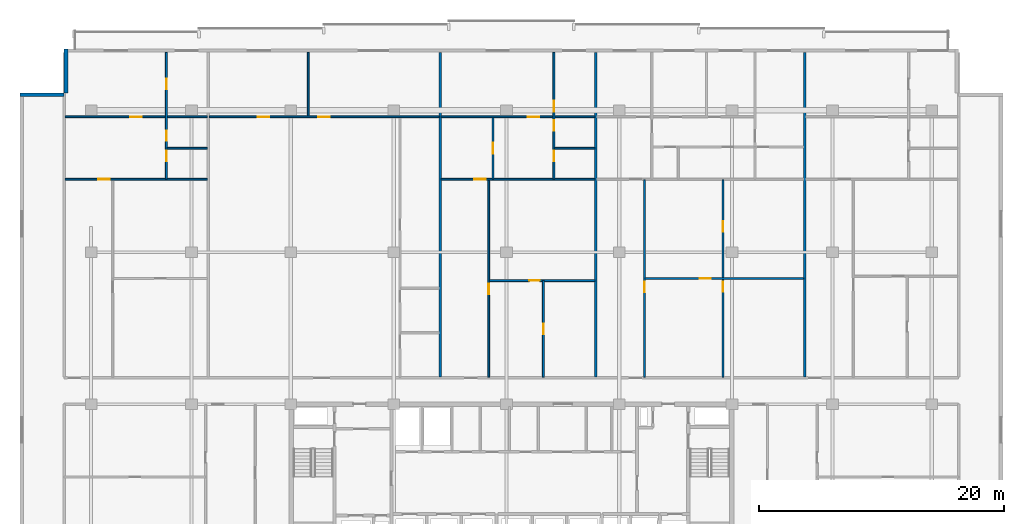
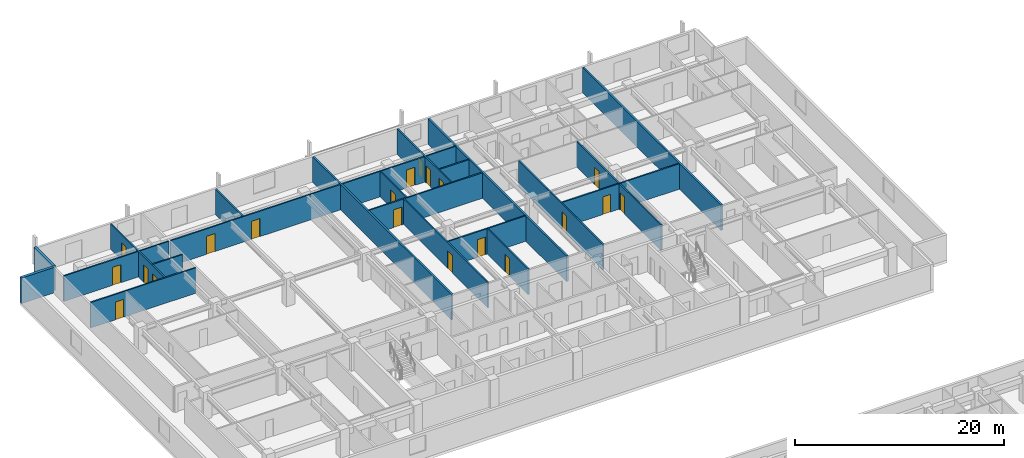
# One storey, part 14 of 22: 22 walls, 20 doors, 20 openings.
"""IFC4 building model written with IfcOpenShell, lengths in metres."""

from ifc_helpers import new_model, si_unit, direction, frame, frame_2d, origin, place, context, subcontext, project, spatial, rectangle, extrude, material, layer, layer_set, type_object, element, fill, save


model = new_model("IFC4")

# Units and contexts
model_context = context("Model", 3, precision=1e-05, world=origin(), true_north=direction((0.0, 1.0)))
body_context = subcontext(model_context, "Body", "Model", "MODEL_VIEW")
ifc_project = project(units=[si_unit("LENGTHUNIT", "METRE"), si_unit("AREAUNIT", "SQUARE_METRE"), si_unit("VOLUMEUNIT", "CUBIC_METRE"), si_unit("PLANEANGLEUNIT", "RADIAN"), si_unit("MASSUNIT", "GRAM", prefix="KILO")], contexts=[model_context])

# Site, building, storey
site_placement = place(None, origin())
site = spatial("IfcSite", under=ifc_project, at=site_placement, CompositionType="ELEMENT")
building_placement = place(site_placement, origin())
building = spatial("IfcBuilding", under=site, at=building_placement, Name="Korimba Cascade Residences", CompositionType="ELEMENT")
storey_placement = place(building_placement, frame((0.0, 0.0, 80.800048828125)))
storey = spatial("IfcBuildingStorey", under=building, at=storey_placement, Name="L22", CompositionType="ELEMENT", Elevation=80.800048828125)

# Walls
ifc_material_1 = material(Name="Precast concrete C40/50", Category="concrete")
ifc_layer_1 = layer(ifc_material_1, 0.300048828125)
ifc_layer_set_1 = layer_set([ifc_layer_1], Name="Precast concrete C40/50")
wall_type_1 = type_object("IfcWallType", Name="EW-STONE-300", PredefinedType="STANDARD", material=ifc_layer_set_1)
wall_1_placement = place(storey_placement, frame((57.75, 96.199951171875, 0.0), z_axis=(0.0, 0.0, 1.0), x_axis=(0.0, -1.0, 0.0)))
element("IfcWall", 1, at=wall_1_placement, inside=storey, type_object=wall_type_1, Name="L22 T1 Perimeter Stone Wall E07", PredefinedType="STANDARD", context=body_context, shape_type="SweptSolid", body=[
    extrude(rectangle(XDim=3.599853515625, YDim=0.300048828125, at=frame_2d((1.7998046875, 0.0))), origin(), (0.0, 0.0, 1.0), 2.969970703125),
])
wall_2_placement = place(storey_placement, frame((57.60009765625, 92.449951171875, 0.0), z_axis=(0.0, 0.0, 1.0), x_axis=(-1.0, 0.0, 0.0)))
element("IfcWall", 2, at=wall_2_placement, inside=storey, type_object=wall_type_1, Name="L22 T1 Perimeter Stone Wall E08", PredefinedType="STANDARD", context=body_context, shape_type="SweptSolid", body=[
    extrude(rectangle(XDim=3.60009765625, YDim=0.300048828125, at=frame_2d((1.800048828125, 0.0))), origin(), (0.0, 0.0, 1.0), 2.969970703125),
])
ifc_layer_2 = layer(ifc_material_1, 0.199951171875)
ifc_layer_set_2 = layer_set([ifc_layer_2], Name="Precast concrete C40/50")
wall_type_2 = type_object("IfcWallType", Name="WAL-IT-200", PredefinedType="PARTITIONING", material=ifc_layer_set_2)
for number, where, z_axis, x_axis, name in (
    (3, (88.28466796875, 69.429931640625, 0.0), (0.0, 0.0, 1.0), (0.0, 1.0, 0.0), "L22 Partition Wall WAL-L22-T1-DEM-2"),
    (4, (100.9873046875, 69.429931640625, 0.0), (0.0, 0.0, 1.0), (0.0, 1.0, 0.0), "L22 Partition Wall WAL-L22-T1-DEM-3"),
    (5, (118.033447265625, 69.429931640625, 0.0), (0.0, 0.0, 1.0), (0.0, 1.0, 0.0), "L22 Partition Wall WAL-L22-T1-DEM-4"),
):
    element("IfcWall", number, at=place(storey_placement, frame(where, z_axis=z_axis, x_axis=x_axis)), inside=storey, type_object=wall_type_2, Name=name, PredefinedType="PARTITIONING", context=body_context, shape_type="SweptSolid", body=[
        extrude(rectangle(XDim=26.469970703125, YDim=0.199951171875, at=frame_2d((13.23486328125, 0.0))), origin(), (0.0, 0.0, 1.0), 2.969970703125),
    ])
ifc_material_2 = material(Name="Insulated Acoustic Stud Partition", Category="gypsum")
ifc_layer_3 = layer(ifc_material_2, 0.14990234375)
ifc_layer_set_3 = layer_set([ifc_layer_3], Name="Insulated Acoustic Stud Partition")
wall_type_3 = type_object("IfcWallType", Name="WAL-PART-150", PredefinedType="PARTITIONING", material=ifc_layer_set_3)
wall_3_placement = place(storey_placement, frame((66.006591796875, 88.090087890625, 0.0), z_axis=(0.0, 0.0, 1.0), x_axis=(1.0, 0.0, 0.0)))
element("IfcWall", 6, at=wall_3_placement, inside=storey, type_object=wall_type_3, Name="L22 Partition Wall WAL-L22-T1-U01-BLDIV", PredefinedType="PARTITIONING", context=body_context, shape_type="SweptSolid", body=[
    extrude(rectangle(XDim=3.280029296875, YDim=0.14990234375, at=frame_2d((1.64013671875, 0.0))), origin(), (0.0, 0.0, 1.0), 2.969970703125),
])

# Wall, openings, doors
wall_4_placement = place(storey_placement, frame((65.94677734375, 85.590087890625, 0.0), z_axis=(0.0, 0.0, 1.0), x_axis=(0.0, 1.0, 0.0)))
wall_4 = element("IfcWall", 7, at=wall_4_placement, inside=storey, type_object=wall_type_3, Name="L22 Partition Wall WAL-L22-T1-U01-V1", PredefinedType="PARTITIONING", context=body_context, shape_type="SweptSolid", body=[
    extrude(rectangle(XDim=10.309814453125, YDim=0.14990234375, at=frame_2d((5.15478515625, 0.0))), origin(), (0.0, 0.0, 1.0), 2.969970703125),
])
opening_1_placement = place(wall_4_placement, frame((1.430419921875, 0.0, 0.0)))
opening_1 = element("IfcOpeningElement", 8, at=opening_1_placement, cuts=wall_4, Name="Opening D-BT1", PredefinedType="OPENING", context=body_context, shape_type="SweptSolid", body=[
    extrude(rectangle(XDim=0.840087890625, YDim=2.0400390625, at=frame_2d((0.419921875, 1.02001953125))), frame((0.0, 0.0849609375, 0.0), z_axis=(0.0, -1.0, 0.0), x_axis=(1.0, 0.0, 0.0)), (0.0, 0.0, 1.0), 0.169921875),
])
opening_2_placement = place(wall_4_placement, frame((3.1015625, 0.0, 0.0)))
opening_2 = element("IfcOpeningElement", 9, at=opening_2_placement, cuts=wall_4, Name="Opening D-BT1", PredefinedType="OPENING", context=body_context, shape_type="SweptSolid", body=[
    extrude(rectangle(XDim=0.840087890625, YDim=2.0400390625, at=frame_2d((0.419921875, 1.02001953125))), frame((0.0, 0.0849609375, 0.0), z_axis=(0.0, -1.0, 0.0), x_axis=(1.0, 0.0, 0.0)), (0.0, 0.0, 1.0), 0.169921875),
])
opening_3_placement = place(wall_4_placement, frame((7.28955078125, 0.0, 0.0)))
opening_3 = element("IfcOpeningElement", 10, at=opening_3_placement, cuts=wall_4, Name="Opening D-IN2", PredefinedType="OPENING", context=body_context, shape_type="SweptSolid", body=[
    extrude(rectangle(XDim=0.8798828125, YDim=2.06005859375, at=frame_2d((0.43994140625, 1.030029296875))), frame((0.0, 0.0849609375, 0.0), z_axis=(0.0, -1.0, 0.0), x_axis=(1.0, 0.0, 0.0)), (0.0, 0.0, 1.0), 0.169921875),
])
ifc_material_3 = material(Name="Moisture-Resistant Bathroom Timber Door", Category="wood")
door_type_1 = type_object("IfcDoorType", Name="DR-INT-850", OperationType="NOTDEFINED", PredefinedType="DOOR", material=ifc_material_3)
door_1_placement = place(opening_1_placement, origin())
door_1 = element("IfcDoor", 11, at=door_1_placement, inside=storey, type_object=door_type_1, Name="L22-T1-U01 Bathroom Door", OperationType="SINGLE_SWING_LEFT", OverallHeight=2.0400390625, OverallWidth=0.840087890625, PredefinedType="DOOR", context=body_context, shape_type="SweptSolid", body=[
    extrude(rectangle(XDim=0.840087890625, YDim=2.0400390625, at=frame_2d((0.419921875, 1.02001953125))), frame((0.0, 0.02490234375, 0.0), z_axis=(0.0, -1.0, 0.0), x_axis=(1.0, 0.0, 0.0)), (0.0, 0.0, 1.0), 0.050048828125),
])
fill(opening_1, door_1)
door_2_placement = place(opening_2_placement, origin())
door_2 = element("IfcDoor", 12, at=door_2_placement, inside=storey, type_object=door_type_1, Name="L22-T1-U01 Laundry Door", OperationType="SINGLE_SWING_RIGHT", OverallHeight=2.0400390625, OverallWidth=0.840087890625, PredefinedType="DOOR", context=body_context, shape_type="SweptSolid", body=[
    extrude(rectangle(XDim=0.840087890625, YDim=2.0400390625, at=frame_2d((0.419921875, 1.02001953125))), frame((0.0, 0.02490234375, 0.0), z_axis=(0.0, -1.0, 0.0), x_axis=(1.0, 0.0, 0.0)), (0.0, 0.0, 1.0), 0.050048828125),
])
fill(opening_2, door_2)
ifc_material_4 = material(Name="Acoustic Timber Bedroom Door", Category="wood")
door_type_2 = type_object("IfcDoorType", Name="DR-INT-880", OperationType="NOTDEFINED", PredefinedType="DOOR", material=ifc_material_4)
door_3_placement = place(opening_3_placement, origin())
door_3 = element("IfcDoor", 13, at=door_3_placement, inside=storey, type_object=door_type_2, Name="L22-T1-U01 Bedroom 1 Door", OperationType="SINGLE_SWING_LEFT", OverallHeight=2.06005859375, OverallWidth=0.8798828125, PredefinedType="DOOR", context=body_context, shape_type="SweptSolid", body=[
    extrude(rectangle(XDim=0.8798828125, YDim=2.06005859375, at=frame_2d((0.43994140625, 1.030029296875))), frame((0.0, 0.02490234375, 0.0), z_axis=(0.0, -1.0, 0.0), x_axis=(1.0, 0.0, 0.0)), (0.0, 0.0, 1.0), 0.050048828125),
])
fill(opening_3, door_3)

# Wall, opening, door
wall_5_placement = place(storey_placement, frame((57.679931640625, 85.550048828125, 0.0), z_axis=(0.0, 0.0, 1.0), x_axis=(1.0, 0.0, 0.0)))
wall_5 = element("IfcWall", 14, at=wall_5_placement, inside=storey, type_object=wall_type_3, Name="L22 Partition Wall WAL-L22-T1-U01-MW", PredefinedType="PARTITIONING", context=body_context, shape_type="SweptSolid", body=[
    extrude(rectangle(XDim=11.606689453125, YDim=0.14990234375, at=frame_2d((5.80322265625, 0.0))), origin(), (0.0, 0.0, 1.0), 2.969970703125),
])
opening_4_placement = place(wall_5_placement, frame((2.719970703125, 0.0, 0.0)))
opening_4 = element("IfcOpeningElement", 15, at=opening_4_placement, cuts=wall_5, Name="Opening D-IN1", PredefinedType="OPENING", context=body_context, shape_type="SweptSolid", body=[
    extrude(rectangle(XDim=0.919921875, YDim=2.080078125, at=frame_2d((0.4599609375, 1.0400390625))), frame((0.0, 0.0849609375, 0.0), z_axis=(0.0, -1.0, 0.0), x_axis=(1.0, 0.0, 0.0)), (0.0, 0.0, 1.0), 0.169921875),
])
ifc_material_5 = material(Name="Acoustic Timber Living Door", Category="wood")
door_type_3 = type_object("IfcDoorType", Name="DR-INT-920", OperationType="NOTDEFINED", PredefinedType="DOOR", material=ifc_material_5)
door_4_placement = place(opening_4_placement, origin())
door_4 = element("IfcDoor", 16, at=door_4_placement, inside=storey, type_object=door_type_3, Name="L22-T1-U01 Kitchen Archway Door", OperationType="SINGLE_SWING_RIGHT", OverallHeight=2.080078125, OverallWidth=0.919921875, PredefinedType="DOOR", context=body_context, shape_type="SweptSolid", body=[
    extrude(rectangle(XDim=0.919921875, YDim=2.080078125, at=frame_2d((0.4599609375, 1.0400390625))), frame((0.0, 0.02490234375, 0.0), z_axis=(0.0, -1.0, 0.0), x_axis=(1.0, 0.0, 0.0)), (0.0, 0.0, 1.0), 0.050048828125),
])
fill(opening_4, door_4)

wall_6_placement = place(storey_placement, frame((57.679931640625, 90.64990234375, 0.0), z_axis=(0.0, 0.0, 1.0), x_axis=(1.0, 0.0, 0.0)))
wall_6 = element("IfcWall", 17, at=wall_6_placement, inside=storey, type_object=wall_type_3, Name="L22 Partition Wall WAL-L22-T1-U01-HZ", PredefinedType="PARTITIONING", context=body_context, shape_type="SweptSolid", body=[
    extrude(rectangle(XDim=11.606689453125, YDim=0.14990234375, at=frame_2d((5.80322265625, 0.0))), origin(), (0.0, 0.0, 1.0), 2.969970703125),
])
opening_5_placement = place(wall_6_placement, frame((5.333251953125, 0.0, 0.0)))
opening_5 = element("IfcOpeningElement", 18, at=opening_5_placement, cuts=wall_6, Name="Opening D-IN0", PredefinedType="OPENING", context=body_context, shape_type="SweptSolid", body=[
    extrude(rectangle(XDim=0.93994140625, YDim=2.10009765625, at=frame_2d((0.469970703125, 1.050048828125))), frame((0.0, 0.0849609375, 0.0), z_axis=(0.0, -1.0, 0.0), x_axis=(1.0, 0.0, 0.0)), (0.0, 0.0, 1.0), 0.169921875),
])
ifc_material_6 = material(Name="Acoustic Timber Living Archway Door", Category="wood")
door_type_4 = type_object("IfcDoorType", Name="DR-INT-950", OperationType="NOTDEFINED", PredefinedType="DOOR", material=ifc_material_6)
door_5_placement = place(opening_5_placement, origin())
door_5 = element("IfcDoor", 19, at=door_5_placement, inside=storey, type_object=door_type_4, Name="L22-T1-U01 Living Archway Door", OperationType="SINGLE_SWING_LEFT", OverallHeight=2.10009765625, OverallWidth=0.93994140625, PredefinedType="DOOR", context=body_context, shape_type="SweptSolid", body=[
    extrude(rectangle(XDim=0.93994140625, YDim=2.10009765625, at=frame_2d((0.469970703125, 1.050048828125))), frame((0.0, 0.02490234375, 0.0), z_axis=(0.0, -1.0, 0.0), x_axis=(1.0, 0.0, 0.0)), (0.0, 0.0, 1.0), 0.050048828125),
])
fill(opening_5, door_5)

# Wall
wall_7_placement = place(storey_placement, frame((77.520751953125, 90.72998046875, 0.0), z_axis=(0.0, 0.0, 1.0), x_axis=(0.0, 1.0, 0.0)))
element("IfcWall", 20, at=wall_7_placement, inside=storey, type_object=wall_type_3, Name="L22 Partition Wall WAL-L22-T1-U02-OUTV", PredefinedType="PARTITIONING", context=body_context, shape_type="SweptSolid", body=[
    extrude(rectangle(XDim=5.169921875, YDim=0.14990234375, at=frame_2d((2.5849609375, 0.0))), origin(), (0.0, 0.0, 1.0), 2.969970703125),
])

# Wall, openings, doors
wall_8_placement = place(storey_placement, frame((69.44677734375, 90.64990234375, 0.0), z_axis=(0.0, 0.0, 1.0), x_axis=(1.0, 0.0, 0.0)))
wall_8 = element("IfcWall", 21, at=wall_8_placement, inside=storey, type_object=wall_type_3, Name="L22 Partition Wall WAL-L22-T1-U02-HZ", PredefinedType="PARTITIONING", context=body_context, shape_type="SweptSolid", body=[
    extrude(rectangle(XDim=18.7578125, YDim=0.14990234375, at=frame_2d((9.37890625, 0.0))), origin(), (0.0, 0.0, 1.0), 2.969970703125),
])
opening_6_placement = place(wall_8_placement, frame((3.965087890625, 0.0, 0.0)))
opening_6 = element("IfcOpeningElement", 22, at=opening_6_placement, cuts=wall_8, Name="Opening D-IN0", PredefinedType="OPENING", context=body_context, shape_type="SweptSolid", body=[
    extrude(rectangle(XDim=0.93994140625, YDim=2.10009765625, at=frame_2d((0.469970703125, 1.050048828125))), frame((0.0, 0.0849609375, 0.0), z_axis=(0.0, -1.0, 0.0), x_axis=(1.0, 0.0, 0.0)), (0.0, 0.0, 1.0), 0.169921875),
])
opening_7_placement = place(wall_8_placement, frame((8.908935546875, 0.0, 0.0)))
opening_7 = element("IfcOpeningElement", 23, at=opening_7_placement, cuts=wall_8, Name="Opening D-IN0", PredefinedType="OPENING", context=body_context, shape_type="SweptSolid", body=[
    extrude(rectangle(XDim=0.93994140625, YDim=2.10009765625, at=frame_2d((0.469970703125, 1.050048828125))), frame((0.0, 0.0849609375, 0.0), z_axis=(0.0, -1.0, 0.0), x_axis=(1.0, 0.0, 0.0)), (0.0, 0.0, 1.0), 0.169921875),
])
door_6_placement = place(opening_6_placement, origin())
door_6 = element("IfcDoor", 24, at=door_6_placement, inside=storey, type_object=door_type_4, Name="L22-T1-U02 Resident Gourmet Market Door", OperationType="SINGLE_SWING_LEFT", OverallHeight=2.10009765625, OverallWidth=0.93994140625, PredefinedType="DOOR", context=body_context, shape_type="SweptSolid", body=[
    extrude(rectangle(XDim=0.93994140625, YDim=2.10009765625, at=frame_2d((0.469970703125, 1.050048828125))), frame((0.0, 0.02490234375, 0.0), z_axis=(0.0, -1.0, 0.0), x_axis=(1.0, 0.0, 0.0)), (0.0, 0.0, 1.0), 0.050048828125),
])
fill(opening_6, door_6)
door_7_placement = place(opening_7_placement, origin())
door_7 = element("IfcDoor", 25, at=door_7_placement, inside=storey, type_object=door_type_4, Name="L22-T1-U02 Artisan Gallery Boutique Door", OperationType="SINGLE_SWING_RIGHT", OverallHeight=2.10009765625, OverallWidth=0.93994140625, PredefinedType="DOOR", context=body_context, shape_type="SweptSolid", body=[
    extrude(rectangle(XDim=0.93994140625, YDim=2.10009765625, at=frame_2d((0.469970703125, 1.050048828125))), frame((0.0, 0.02490234375, 0.0), z_axis=(0.0, -1.0, 0.0), x_axis=(1.0, 0.0, 0.0)), (0.0, 0.0, 1.0), 0.050048828125),
])
fill(opening_7, door_7)

# Wall, opening, door
wall_9_placement = place(storey_placement, frame((96.7109375, 69.409912109375, 0.0), z_axis=(0.0, 0.0, 1.0), x_axis=(0.0, 1.0, 0.0)))
wall_9 = element("IfcWall", 26, at=wall_9_placement, inside=storey, type_object=wall_type_3, Name="L22 Partition Wall WAL-L22-T1-U03-FMV", PredefinedType="PARTITIONING", context=body_context, shape_type="SweptSolid", body=[
    extrude(rectangle(XDim=7.8701171875, YDim=0.14990234375, at=frame_2d((3.93505859375, 0.0))), origin(), (0.0, 0.0, 1.0), 2.969970703125),
])
opening_8_placement = place(wall_9_placement, frame((3.514892578125, 0.0, 0.0)))
opening_8 = element("IfcOpeningElement", 27, at=opening_8_placement, cuts=wall_9, Name="Opening D-BT1", PredefinedType="OPENING", context=body_context, shape_type="SweptSolid", body=[
    extrude(rectangle(XDim=0.840087890625, YDim=2.0400390625, at=frame_2d((0.419921875, 1.02001953125))), frame((0.0, 0.0849609375, 0.0), z_axis=(0.0, -1.0, 0.0), x_axis=(1.0, 0.0, 0.0)), (0.0, 0.0, 1.0), 0.169921875),
])
door_8_placement = place(opening_8_placement, origin())
door_8 = element("IfcDoor", 28, at=door_8_placement, inside=storey, type_object=door_type_1, Name="L22-T1-U03 Wardrobe Door", OperationType="SINGLE_SWING_LEFT", OverallHeight=2.0400390625, OverallWidth=0.840087890625, PredefinedType="DOOR", context=body_context, shape_type="SweptSolid", body=[
    extrude(rectangle(XDim=0.840087890625, YDim=2.0400390625, at=frame_2d((0.419921875, 1.02001953125))), frame((0.0, 0.02490234375, 0.0), z_axis=(0.0, -1.0, 0.0), x_axis=(1.0, 0.0, 0.0)), (0.0, 0.0, 1.0), 0.050048828125),
])
fill(opening_8, door_8)

wall_10_placement = place(storey_placement, frame((92.314697265625, 77.280029296875, 0.0), z_axis=(0.0, 0.0, 1.0), x_axis=(1.0, 0.0, 0.0)))
wall_10 = element("IfcWall", 29, at=wall_10_placement, inside=storey, type_object=wall_type_3, Name="L22 Partition Wall WAL-L22-T1-U03-FMH", PredefinedType="PARTITIONING", context=body_context, shape_type="SweptSolid", body=[
    extrude(rectangle(XDim=8.592529296875, YDim=0.14990234375, at=frame_2d((4.29638671875, 0.0))), origin(), (0.0, 0.0, 1.0), 2.969970703125),
])
opening_9_placement = place(wall_10_placement, frame((3.2373046875, 0.0, 0.0)))
opening_9 = element("IfcOpeningElement", 30, at=opening_9_placement, cuts=wall_10, Name="Opening D-IN2", PredefinedType="OPENING", context=body_context, shape_type="SweptSolid", body=[
    extrude(rectangle(XDim=0.8798828125, YDim=2.06005859375, at=frame_2d((0.43994140625, 1.030029296875))), frame((0.0, 0.0849609375, 0.0), z_axis=(0.0, -1.0, 0.0), x_axis=(1.0, 0.0, 0.0)), (0.0, 0.0, 1.0), 0.169921875),
])
door_9_placement = place(opening_9_placement, origin())
door_9 = element("IfcDoor", 31, at=door_9_placement, inside=storey, type_object=door_type_2, Name="L22-T1-U03 Library Salon Door", OperationType="SINGLE_SWING_RIGHT", OverallHeight=2.06005859375, OverallWidth=0.8798828125, PredefinedType="DOOR", context=body_context, shape_type="SweptSolid", body=[
    extrude(rectangle(XDim=0.8798828125, YDim=2.06005859375, at=frame_2d((0.43994140625, 1.030029296875))), frame((0.0, 0.02490234375, 0.0), z_axis=(0.0, -1.0, 0.0), x_axis=(1.0, 0.0, 0.0)), (0.0, 0.0, 1.0), 0.050048828125),
])
fill(opening_9, door_9)

wall_11_placement = place(storey_placement, frame((92.254638671875, 69.409912109375, 0.0), z_axis=(0.0, 0.0, 1.0), x_axis=(0.0, 1.0, 0.0)))
wall_11 = element("IfcWall", 32, at=wall_11_placement, inside=storey, type_object=wall_type_3, Name="L22 Partition Wall WAL-L22-T1-U03-FV", PredefinedType="PARTITIONING", context=body_context, shape_type="SweptSolid", body=[
    extrude(rectangle(XDim=16.10009765625, YDim=0.14990234375, at=frame_2d((8.050048828125, 0.0))), origin(), (0.0, 0.0, 1.0), 2.969970703125),
])
opening_10_placement = place(wall_11_placement, frame((6.739990234375, 0.0, 0.0)))
opening_10 = element("IfcOpeningElement", 33, at=opening_10_placement, cuts=wall_11, Name="Opening D-IN2", PredefinedType="OPENING", context=body_context, shape_type="SweptSolid", body=[
    extrude(rectangle(XDim=0.8798828125, YDim=2.06005859375, at=frame_2d((0.43994140625, 1.030029296875))), frame((0.0, 0.0849609375, 0.0), z_axis=(0.0, -1.0, 0.0), x_axis=(1.0, 0.0, 0.0)), (0.0, 0.0, 1.0), 0.169921875),
])
door_10_placement = place(opening_10_placement, origin())
door_10 = element("IfcDoor", 34, at=door_10_placement, inside=storey, type_object=door_type_2, Name="L22-T1-U03 Media Lounge Door", OperationType="SINGLE_SWING_LEFT", OverallHeight=2.06005859375, OverallWidth=0.8798828125, PredefinedType="DOOR", context=body_context, shape_type="SweptSolid", body=[
    extrude(rectangle(XDim=0.8798828125, YDim=2.06005859375, at=frame_2d((0.43994140625, 1.030029296875))), frame((0.0, 0.02490234375, 0.0), z_axis=(0.0, -1.0, 0.0), x_axis=(1.0, 0.0, 0.0)), (0.0, 0.0, 1.0), 0.050048828125),
])
fill(opening_10, door_10)

wall_12_placement = place(storey_placement, frame((92.6044921875, 85.590087890625, 0.0), z_axis=(0.0, 0.0, 1.0), x_axis=(0.0, 1.0, 0.0)))
wall_12 = element("IfcWall", 35, at=wall_12_placement, inside=storey, type_object=wall_type_3, Name="L22 Partition Wall WAL-L22-T1-U03-VDIN", PredefinedType="PARTITIONING", context=body_context, shape_type="SweptSolid", body=[
    extrude(rectangle(XDim=5.0, YDim=0.14990234375, at=frame_2d((2.5, 0.0))), origin(), (0.0, 0.0, 1.0), 2.969970703125),
])
opening_11_placement = place(wall_12_placement, frame((2.06005859375, 0.0, 0.0)))
opening_11 = element("IfcOpeningElement", 36, at=opening_11_placement, cuts=wall_12, Name="Opening D-IN2", PredefinedType="OPENING", context=body_context, shape_type="SweptSolid", body=[
    extrude(rectangle(XDim=0.8798828125, YDim=2.06005859375, at=frame_2d((0.43994140625, 1.030029296875))), frame((0.0, 0.0849609375, 0.0), z_axis=(0.0, -1.0, 0.0), x_axis=(1.0, 0.0, 0.0)), (0.0, 0.0, 1.0), 0.169921875),
])
door_11_placement = place(opening_11_placement, origin())
door_11 = element("IfcDoor", 37, at=door_11_placement, inside=storey, type_object=door_type_2, Name="L22-T1-U03 Dining Room Door", OperationType="SINGLE_SWING_RIGHT", OverallHeight=2.06005859375, OverallWidth=0.8798828125, PredefinedType="DOOR", context=body_context, shape_type="SweptSolid", body=[
    extrude(rectangle(XDim=0.8798828125, YDim=2.06005859375, at=frame_2d((0.43994140625, 1.030029296875))), frame((0.0, 0.02490234375, 0.0), z_axis=(0.0, -1.0, 0.0), x_axis=(1.0, 0.0, 0.0)), (0.0, 0.0, 1.0), 0.050048828125),
])
fill(opening_11, door_11)

# Wall
wall_13_placement = place(storey_placement, frame((97.627197265625, 88.090087890625, 0.0), z_axis=(0.0, 0.0, 1.0), x_axis=(1.0, 0.0, 0.0)))
element("IfcWall", 38, at=wall_13_placement, inside=storey, type_object=wall_type_3, Name="L22 Partition Wall WAL-L22-T1-U03-BLDIV", PredefinedType="PARTITIONING", context=body_context, shape_type="SweptSolid", body=[
    extrude(rectangle(XDim=3.280029296875, YDim=0.14990234375, at=frame_2d((1.64013671875, 0.0))), origin(), (0.0, 0.0, 1.0), 2.969970703125),
])

# Wall, openings, doors
wall_14_placement = place(storey_placement, frame((97.567138671875, 85.590087890625, 0.0), z_axis=(0.0, 0.0, 1.0), x_axis=(0.0, 1.0, 0.0)))
wall_14 = element("IfcWall", 39, at=wall_14_placement, inside=storey, type_object=wall_type_3, Name="L22 Partition Wall WAL-L22-T1-U03-V1", PredefinedType="PARTITIONING", context=body_context, shape_type="SweptSolid", body=[
    extrude(rectangle(XDim=10.309814453125, YDim=0.14990234375, at=frame_2d((5.15478515625, 0.0))), origin(), (0.0, 0.0, 1.0), 2.969970703125),
])
opening_12_placement = place(wall_14_placement, frame((1.430419921875, 0.0, 0.0)))
opening_12 = element("IfcOpeningElement", 40, at=opening_12_placement, cuts=wall_14, Name="Opening D-BT1", PredefinedType="OPENING", context=body_context, shape_type="SweptSolid", body=[
    extrude(rectangle(XDim=0.840087890625, YDim=2.0400390625, at=frame_2d((0.419921875, 1.02001953125))), frame((0.0, 0.0849609375, 0.0), z_axis=(0.0, -1.0, 0.0), x_axis=(1.0, 0.0, 0.0)), (0.0, 0.0, 1.0), 0.169921875),
])
opening_13_placement = place(wall_14_placement, frame((3.919921875, 0.0, 0.0)))
opening_13 = element("IfcOpeningElement", 41, at=opening_13_placement, cuts=wall_14, Name="Opening D-BT1", PredefinedType="OPENING", context=body_context, shape_type="SweptSolid", body=[
    extrude(rectangle(XDim=0.840087890625, YDim=2.0400390625, at=frame_2d((0.419921875, 1.02001953125))), frame((0.0, 0.0849609375, 0.0), z_axis=(0.0, -1.0, 0.0), x_axis=(1.0, 0.0, 0.0)), (0.0, 0.0, 1.0), 0.169921875),
])
opening_14_placement = place(wall_14_placement, frame((5.47998046875, 0.0, 0.0)))
opening_14 = element("IfcOpeningElement", 42, at=opening_14_placement, cuts=wall_14, Name="Opening D-IN2", PredefinedType="OPENING", context=body_context, shape_type="SweptSolid", body=[
    extrude(rectangle(XDim=0.8798828125, YDim=2.06005859375, at=frame_2d((0.43994140625, 1.030029296875))), frame((0.0, 0.0849609375, 0.0), z_axis=(0.0, -1.0, 0.0), x_axis=(1.0, 0.0, 0.0)), (0.0, 0.0, 1.0), 0.169921875),
])
door_12_placement = place(opening_12_placement, origin())
door_12 = element("IfcDoor", 43, at=door_12_placement, inside=storey, type_object=door_type_1, Name="L22-T1-U03 Bathroom Door", OperationType="SINGLE_SWING_LEFT", OverallHeight=2.0400390625, OverallWidth=0.840087890625, PredefinedType="DOOR", context=body_context, shape_type="SweptSolid", body=[
    extrude(rectangle(XDim=0.840087890625, YDim=2.0400390625, at=frame_2d((0.419921875, 1.02001953125))), frame((0.0, 0.02490234375, 0.0), z_axis=(0.0, -1.0, 0.0), x_axis=(1.0, 0.0, 0.0)), (0.0, 0.0, 1.0), 0.050048828125),
])
fill(opening_12, door_12)
door_13_placement = place(opening_13_placement, origin())
door_13 = element("IfcDoor", 44, at=door_13_placement, inside=storey, type_object=door_type_1, Name="L22-T1-U03 Laundry Door", OperationType="SINGLE_SWING_RIGHT", OverallHeight=2.0400390625, OverallWidth=0.840087890625, PredefinedType="DOOR", context=body_context, shape_type="SweptSolid", body=[
    extrude(rectangle(XDim=0.840087890625, YDim=2.0400390625, at=frame_2d((0.419921875, 1.02001953125))), frame((0.0, 0.02490234375, 0.0), z_axis=(0.0, -1.0, 0.0), x_axis=(1.0, 0.0, 0.0)), (0.0, 0.0, 1.0), 0.050048828125),
])
fill(opening_13, door_13)
door_14_placement = place(opening_14_placement, origin())
door_14 = element("IfcDoor", 45, at=door_14_placement, inside=storey, type_object=door_type_2, Name="L22-T1-U03 Bedroom 1 Door", OperationType="SINGLE_SWING_LEFT", OverallHeight=2.06005859375, OverallWidth=0.8798828125, PredefinedType="DOOR", context=body_context, shape_type="SweptSolid", body=[
    extrude(rectangle(XDim=0.8798828125, YDim=2.06005859375, at=frame_2d((0.43994140625, 1.030029296875))), frame((0.0, 0.02490234375, 0.0), z_axis=(0.0, -1.0, 0.0), x_axis=(1.0, 0.0, 0.0)), (0.0, 0.0, 1.0), 0.050048828125),
])
fill(opening_14, door_14)

# Wall, opening, door
wall_15_placement = place(storey_placement, frame((88.364501953125, 85.550048828125, 0.0), z_axis=(0.0, 0.0, 1.0), x_axis=(1.0, 0.0, 0.0)))
wall_15 = element("IfcWall", 46, at=wall_15_placement, inside=storey, type_object=wall_type_3, Name="L22 Partition Wall WAL-L22-T1-U03-MW", PredefinedType="PARTITIONING", context=body_context, shape_type="SweptSolid", body=[
    extrude(rectangle(XDim=12.542724609375, YDim=0.14990234375, at=frame_2d((6.271484375, 0.0))), origin(), (0.0, 0.0, 1.0), 2.969970703125),
])
opening_15_placement = place(wall_15_placement, frame((2.719970703125, 0.0, 0.0)))
opening_15 = element("IfcOpeningElement", 47, at=opening_15_placement, cuts=wall_15, Name="Opening D-IN1", PredefinedType="OPENING", context=body_context, shape_type="SweptSolid", body=[
    extrude(rectangle(XDim=0.919921875, YDim=2.080078125, at=frame_2d((0.4599609375, 1.0400390625))), frame((0.0, 0.0849609375, 0.0), z_axis=(0.0, -1.0, 0.0), x_axis=(1.0, 0.0, 0.0)), (0.0, 0.0, 1.0), 0.169921875),
])
door_15_placement = place(opening_15_placement, origin())
door_15 = element("IfcDoor", 48, at=door_15_placement, inside=storey, type_object=door_type_3, Name="L22-T1-U03 Kitchen Archway Door", OperationType="SINGLE_SWING_RIGHT", OverallHeight=2.080078125, OverallWidth=0.919921875, PredefinedType="DOOR", context=body_context, shape_type="SweptSolid", body=[
    extrude(rectangle(XDim=0.919921875, YDim=2.080078125, at=frame_2d((0.4599609375, 1.0400390625))), frame((0.0, 0.02490234375, 0.0), z_axis=(0.0, -1.0, 0.0), x_axis=(1.0, 0.0, 0.0)), (0.0, 0.0, 1.0), 0.050048828125),
])
fill(opening_15, door_15)

wall_16_placement = place(storey_placement, frame((88.364501953125, 90.64990234375, 0.0), z_axis=(0.0, 0.0, 1.0), x_axis=(1.0, 0.0, 0.0)))
wall_16 = element("IfcWall", 49, at=wall_16_placement, inside=storey, type_object=wall_type_3, Name="L22 Partition Wall WAL-L22-T1-U03-HZ", PredefinedType="PARTITIONING", context=body_context, shape_type="SweptSolid", body=[
    extrude(rectangle(XDim=12.542724609375, YDim=0.14990234375, at=frame_2d((6.271484375, 0.0))), origin(), (0.0, 0.0, 1.0), 2.969970703125),
])
opening_16_placement = place(wall_16_placement, frame((7.0810546875, 0.0, 0.0)))
opening_16 = element("IfcOpeningElement", 50, at=opening_16_placement, cuts=wall_16, Name="Opening D-IN0", PredefinedType="OPENING", context=body_context, shape_type="SweptSolid", body=[
    extrude(rectangle(XDim=0.93994140625, YDim=2.10009765625, at=frame_2d((0.469970703125, 1.050048828125))), frame((0.0, 0.0849609375, 0.0), z_axis=(0.0, -1.0, 0.0), x_axis=(1.0, 0.0, 0.0)), (0.0, 0.0, 1.0), 0.169921875),
])
door_16_placement = place(opening_16_placement, origin())
door_16 = element("IfcDoor", 51, at=door_16_placement, inside=storey, type_object=door_type_4, Name="L22-T1-U03 Living Archway Door", OperationType="SINGLE_SWING_LEFT", OverallHeight=2.10009765625, OverallWidth=0.93994140625, PredefinedType="DOOR", context=body_context, shape_type="SweptSolid", body=[
    extrude(rectangle(XDim=0.93994140625, YDim=2.10009765625, at=frame_2d((0.469970703125, 1.050048828125))), frame((0.0, 0.02490234375, 0.0), z_axis=(0.0, -1.0, 0.0), x_axis=(1.0, 0.0, 0.0)), (0.0, 0.0, 1.0), 0.050048828125),
])
fill(opening_16, door_16)

# Wall, openings, doors
wall_17_placement = place(storey_placement, frame((111.365234375, 69.409912109375, 0.0), z_axis=(0.0, 0.0, 1.0), x_axis=(0.0, 1.0, 0.0)))
wall_17 = element("IfcWall", 52, at=wall_17_placement, inside=storey, type_object=wall_type_3, Name="L22 Partition Wall WAL-L22-T1-U04-FMV", PredefinedType="PARTITIONING", context=body_context, shape_type="SweptSolid", body=[
    extrude(rectangle(XDim=16.10009765625, YDim=0.14990234375, at=frame_2d((8.050048828125, 0.0))), origin(), (0.0, 0.0, 1.0), 2.969970703125),
])
opening_17_placement = place(wall_17_placement, frame((6.9599609375, 0.0, 0.0)))
opening_17 = element("IfcOpeningElement", 53, at=opening_17_placement, cuts=wall_17, Name="Opening D-BT1", PredefinedType="OPENING", context=body_context, shape_type="SweptSolid", body=[
    extrude(rectangle(XDim=0.840087890625, YDim=2.0400390625, at=frame_2d((0.419921875, 1.02001953125))), frame((0.0, 0.0849609375, 0.0), z_axis=(0.0, -1.0, 0.0), x_axis=(1.0, 0.0, 0.0)), (0.0, 0.0, 1.0), 0.169921875),
])
opening_18_placement = place(wall_17_placement, frame((11.847900390625, 0.0, 0.0)))
opening_18 = element("IfcOpeningElement", 54, at=opening_18_placement, cuts=wall_17, Name="Opening D-IN2", PredefinedType="OPENING", context=body_context, shape_type="SweptSolid", body=[
    extrude(rectangle(XDim=0.8798828125, YDim=2.06005859375, at=frame_2d((0.43994140625, 1.030029296875))), frame((0.0, 0.0849609375, 0.0), z_axis=(0.0, -1.0, 0.0), x_axis=(1.0, 0.0, 0.0)), (0.0, 0.0, 1.0), 0.169921875),
])
door_17_placement = place(opening_17_placement, origin())
door_17 = element("IfcDoor", 55, at=door_17_placement, inside=storey, type_object=door_type_1, Name="L22-T1-U04 Wardrobe Door", OperationType="SINGLE_SWING_RIGHT", OverallHeight=2.0400390625, OverallWidth=0.840087890625, PredefinedType="DOOR", context=body_context, shape_type="SweptSolid", body=[
    extrude(rectangle(XDim=0.840087890625, YDim=2.0400390625, at=frame_2d((0.419921875, 1.02001953125))), frame((0.0, 0.02490234375, 0.0), z_axis=(0.0, -1.0, 0.0), x_axis=(1.0, 0.0, 0.0)), (0.0, 0.0, 1.0), 0.050048828125),
])
fill(opening_17, door_17)
door_18_placement = place(opening_18_placement, origin())
door_18 = element("IfcDoor", 56, at=door_18_placement, inside=storey, type_object=door_type_2, Name="L22-T1-U04 Music Lounge Door", OperationType="SINGLE_SWING_LEFT", OverallHeight=2.06005859375, OverallWidth=0.8798828125, PredefinedType="DOOR", context=body_context, shape_type="SweptSolid", body=[
    extrude(rectangle(XDim=0.8798828125, YDim=2.06005859375, at=frame_2d((0.43994140625, 1.030029296875))), frame((0.0, 0.02490234375, 0.0), z_axis=(0.0, -1.0, 0.0), x_axis=(1.0, 0.0, 0.0)), (0.0, 0.0, 1.0), 0.050048828125),
])
fill(opening_18, door_18)

# Wall, opening, door
wall_18_placement = place(storey_placement, frame((105.01708984375, 77.4599609375, 0.0), z_axis=(0.0, 0.0, 1.0), x_axis=(1.0, 0.0, 0.0)))
wall_18 = element("IfcWall", 57, at=wall_18_placement, inside=storey, type_object=wall_type_3, Name="L22 Partition Wall WAL-L22-T1-U04-FMH", PredefinedType="PARTITIONING", context=body_context, shape_type="SweptSolid", body=[
    extrude(rectangle(XDim=12.936279296875, YDim=0.14990234375, at=frame_2d((6.46826171875, 0.0))), origin(), (0.0, 0.0, 1.0), 2.969970703125),
])
opening_19_placement = place(wall_18_placement, frame((4.46435546875, 0.0, 0.0)))
opening_19 = element("IfcOpeningElement", 58, at=opening_19_placement, cuts=wall_18, Name="Opening D-IN2", PredefinedType="OPENING", context=body_context, shape_type="SweptSolid", body=[
    extrude(rectangle(XDim=0.8798828125, YDim=2.06005859375, at=frame_2d((0.43994140625, 1.030029296875))), frame((0.0, 0.0849609375, 0.0), z_axis=(0.0, -1.0, 0.0), x_axis=(1.0, 0.0, 0.0)), (0.0, 0.0, 1.0), 0.169921875),
])
door_19_placement = place(opening_19_placement, origin())
door_19 = element("IfcDoor", 59, at=door_19_placement, inside=storey, type_object=door_type_2, Name="L22-T1-U04 Library Salon Door", OperationType="SINGLE_SWING_RIGHT", OverallHeight=2.06005859375, OverallWidth=0.8798828125, PredefinedType="DOOR", context=body_context, shape_type="SweptSolid", body=[
    extrude(rectangle(XDim=0.8798828125, YDim=2.06005859375, at=frame_2d((0.43994140625, 1.030029296875))), frame((0.0, 0.02490234375, 0.0), z_axis=(0.0, -1.0, 0.0), x_axis=(1.0, 0.0, 0.0)), (0.0, 0.0, 1.0), 0.050048828125),
])
fill(opening_19, door_19)

wall_19_placement = place(storey_placement, frame((104.957275390625, 69.409912109375, 0.0), z_axis=(0.0, 0.0, 1.0), x_axis=(0.0, 1.0, 0.0)))
wall_19 = element("IfcWall", 60, at=wall_19_placement, inside=storey, type_object=wall_type_3, Name="L22 Partition Wall WAL-L22-T1-U04-FV", PredefinedType="PARTITIONING", context=body_context, shape_type="SweptSolid", body=[
    extrude(rectangle(XDim=16.10009765625, YDim=0.14990234375, at=frame_2d((8.050048828125, 0.0))), origin(), (0.0, 0.0, 1.0), 2.969970703125),
])
opening_20_placement = place(wall_19_placement, frame((6.919921875, 0.0, 0.0)))
opening_20 = element("IfcOpeningElement", 61, at=opening_20_placement, cuts=wall_19, Name="Opening D-IN2", PredefinedType="OPENING", context=body_context, shape_type="SweptSolid", body=[
    extrude(rectangle(XDim=0.8798828125, YDim=2.06005859375, at=frame_2d((0.43994140625, 1.030029296875))), frame((0.0, 0.0849609375, 0.0), z_axis=(0.0, -1.0, 0.0), x_axis=(1.0, 0.0, 0.0)), (0.0, 0.0, 1.0), 0.169921875),
])
door_20_placement = place(opening_20_placement, origin())
door_20 = element("IfcDoor", 62, at=door_20_placement, inside=storey, type_object=door_type_2, Name="L22-T1-U04 Media Lounge Door", OperationType="SINGLE_SWING_LEFT", OverallHeight=2.06005859375, OverallWidth=0.8798828125, PredefinedType="DOOR", context=body_context, shape_type="SweptSolid", body=[
    extrude(rectangle(XDim=0.8798828125, YDim=2.06005859375, at=frame_2d((0.43994140625, 1.030029296875))), frame((0.0, 0.02490234375, 0.0), z_axis=(0.0, -1.0, 0.0), x_axis=(1.0, 0.0, 0.0)), (0.0, 0.0, 1.0), 0.050048828125),
])
fill(opening_20, door_20)

save(model, "model.ifc")
